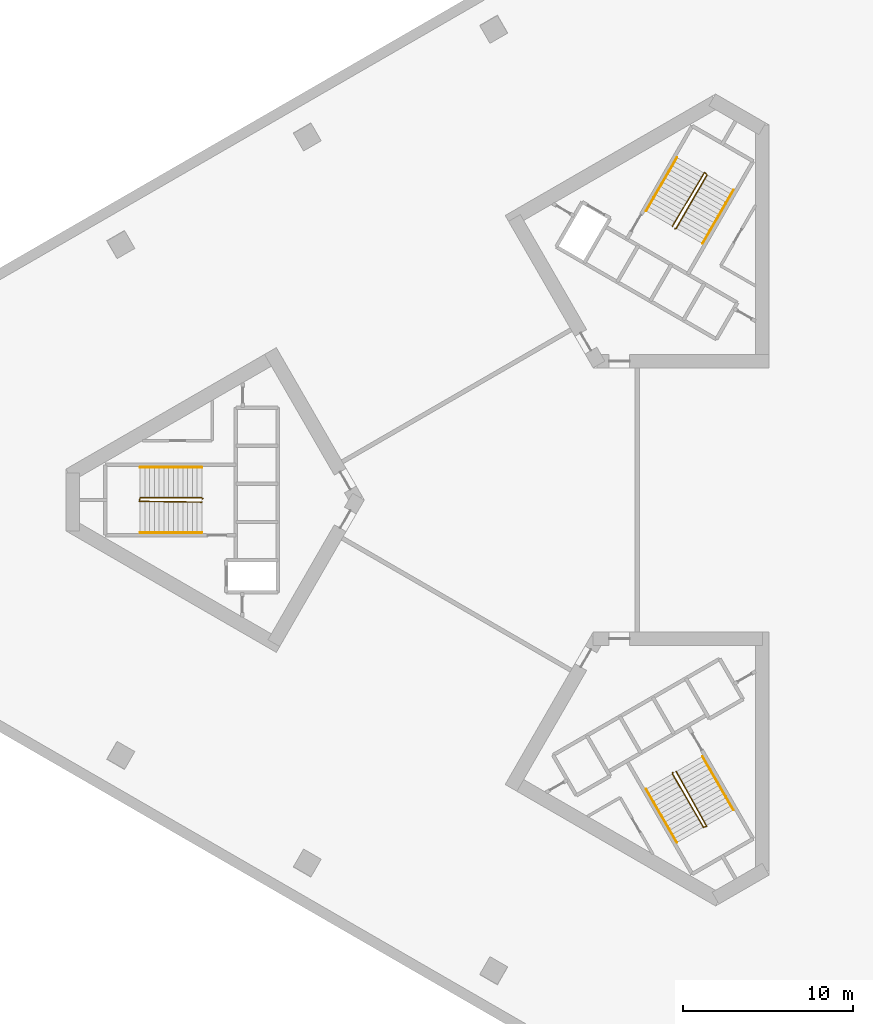
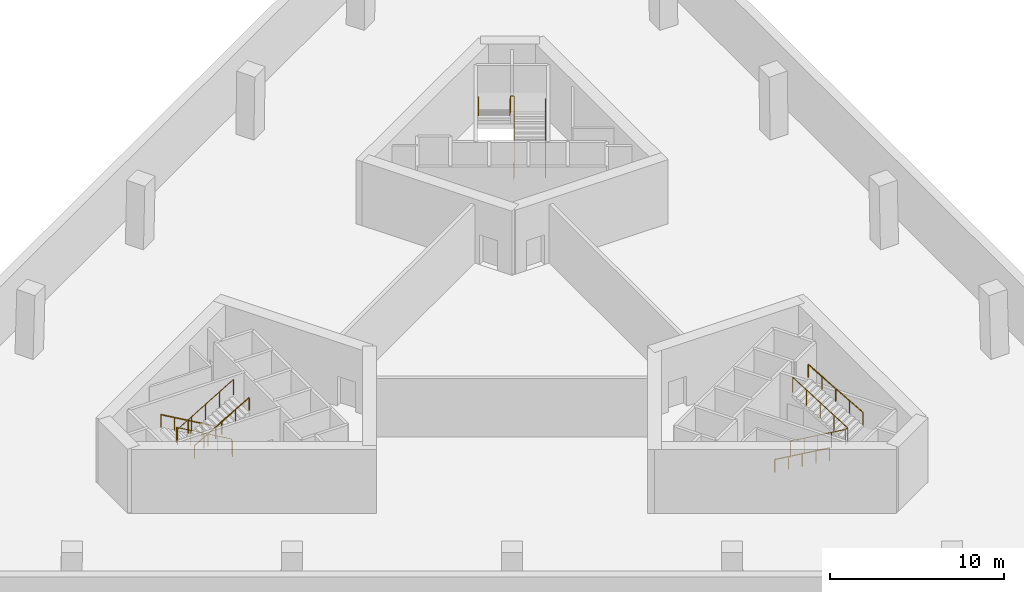
# One storey, part 6 of 6: 9 railings.
"""IFC4 building model written with IfcOpenShell, lengths in metres."""

from ifc_helpers import new_model, si_unit, direction, frame, origin, origin_2d, place, context, subcontext, project, spatial, circle, extrude, material, type_object, element, save


model = new_model("IFC4")

# Units and contexts
model_context = context("Model", 3, precision=1e-05, world=origin(), true_north=direction((0.0, 1.0)))
body_context = subcontext(model_context, "Body", "Model", "MODEL_VIEW")
ifc_project = project(units=[si_unit("LENGTHUNIT", "METRE"), si_unit("AREAUNIT", "SQUARE_METRE"), si_unit("VOLUMEUNIT", "CUBIC_METRE"), si_unit("PLANEANGLEUNIT", "RADIAN"), si_unit("MASSUNIT", "GRAM", prefix="KILO")], contexts=[model_context])

# Site, building, storey
site_placement = place(None, origin())
site = spatial("IfcSite", under=ifc_project, at=site_placement, CompositionType="ELEMENT")
building_placement = place(site_placement, origin())
building = spatial("IfcBuilding", under=site, at=building_placement, Name="Jabali Bay Hotel Tower and Convention Centre", CompositionType="ELEMENT")
storey_placement = place(building_placement, frame((0.0, 0.0, -4.5)))
storey = spatial("IfcBuildingStorey", under=building, at=storey_placement, Name="B1", CompositionType="ELEMENT", Elevation=-4.5)

# Railings
ifc_material = material(Name="Steel Q355B", Category="steel")
railing_type_1 = type_object("IfcRailingType", Name="Stair guard 1100", PredefinedType="GUARDRAIL", material=ifc_material)
railing_1_placement = place(storey_placement, frame((56.469970703125, 80.074951171875, 0.0)))
element("IfcRailing", 1, at=railing_1_placement, inside=storey, type_object=railing_type_1, Name="B1 ST1 stair guard 1", PredefinedType="GUARDRAIL", context=body_context, shape_type="SweptSolid", body=[
    extrude(circle(Radius=0.02392578125, at=origin_2d()), frame((0.0, 0.0, 1.076171875), z_axis=(-0.285103605394, 0.285103605394, 0.91511303585), x_axis=(-0.707106781187, -0.707106781187, 0.0)), (0.0, 0.0, 1.0), 0.175537109375),
    extrude(circle(Radius=0.02392578125, at=origin_2d()), frame((-0.050048828125, 0.050048828125, 1.23681640625), z_axis=(-0.8672749571, 0.0, 0.497829437445), x_axis=(0.0, -1.0, 0.0)), (0.0, 0.0, 1.0), 4.197021484375),
    extrude(circle(Radius=0.02392578125, at=origin_2d()), frame((-3.68994140625, 0.050048828125, 3.326171875), z_axis=(-0.242814311512, -0.970072785993, 0.0), x_axis=(0.970072785993, -0.242814311512, 0.0)), (0.0, 0.0, 1.0), 0.2060546875),
    extrude(circle(Radius=0.02392578125, at=origin_2d()), frame((-3.739990234375, -0.14990234375, 3.326171875), z_axis=(0.853735256921, -0.011579709387, 0.520578544911), x_axis=(0.013562335953, 0.999908027292, 0.0)), (0.0, 0.0, 1.0), 4.322021484375),
    extrude(circle(Radius=0.02099609375, at=origin_2d()), origin(), (0.0, 0.0, 1.0), 1.052001953125),
    extrude(circle(Radius=0.02099609375, at=origin_2d()), frame((-0.050048828125, 0.050048828125, 0.16064453125)), (0.0, 0.0, 1.0), 1.052001953125),
    extrude(circle(Radius=0.02099609375, at=origin_2d()), frame((-0.9599609375, 0.050048828125, 0.68310546875)), (0.0, 0.0, 1.0), 1.052001953125),
    extrude(circle(Radius=0.02099609375, at=origin_2d()), frame((-1.8701171875, 0.050048828125, 1.205322265625)), (0.0, 0.0, 1.0), 1.052001953125),
    extrude(circle(Radius=0.02099609375, at=origin_2d()), frame((-2.780029296875, 0.050048828125, 1.7275390625)), (0.0, 0.0, 1.0), 1.052001953125),
    extrude(circle(Radius=0.02099609375, at=origin_2d()), frame((-3.68994140625, 0.050048828125, 2.25)), (0.0, 0.0, 1.0), 1.052001953125),
    extrude(circle(Radius=0.02099609375, at=origin_2d()), frame((-3.739990234375, -0.14990234375, 2.25)), (0.0, 0.0, 1.0), 1.052001953125),
    extrude(circle(Radius=0.02099609375, at=origin_2d()), frame((-2.8173828125, -0.162353515625, 2.8125)), (0.0, 0.0, 1.0), 1.052001953125),
    extrude(circle(Radius=0.02099609375, at=origin_2d()), frame((-1.89501953125, -0.1748046875, 3.375)), (0.0, 0.0, 1.0), 1.052001953125),
    extrude(circle(Radius=0.02099609375, at=origin_2d()), frame((-0.97265625, -0.1875, 3.9375)), (0.0, 0.0, 1.0), 1.052001953125),
    extrude(circle(Radius=0.02099609375, at=origin_2d()), frame((-0.050048828125, -0.199951171875, 4.5)), (0.0, 0.0, 1.0), 1.052001953125),
])
railing_2_placement = place(storey_placement, frame((84.329833984375, 96.010009765625, 0.0)))
element("IfcRailing", 2, at=railing_2_placement, inside=storey, type_object=railing_type_1, Name="B1 ST2 stair guard 1", PredefinedType="GUARDRAIL", context=body_context, shape_type="SweptSolid", body=[
    extrude(circle(Radius=0.02392578125, at=origin_2d()), frame((0.0, 0.0, 1.076171875), z_axis=(0.389419217707, 0.104308719029, 0.91513516161), x_axis=(-0.258736085224, 0.965948051503, 0.0)), (0.0, 0.0, 1.0), 0.175537109375),
    extrude(circle(Radius=0.02392578125, at=origin_2d()), frame((0.068359375, 0.018310546875, 1.23681640625), z_axis=(0.433652999409, 0.751083504812, 0.49781386572), x_axis=(-0.866018046521, 0.500012742938, 0.0)), (0.0, 0.0, 1.0), 4.197021484375),
    extrude(circle(Radius=0.02392578125, at=origin_2d()), frame((1.888427734375, 3.170654296875, 3.326171875), z_axis=(-0.718850276695, 0.695164929852, 0.0), x_axis=(-0.695164929852, -0.718850276695, 0.0)), (0.0, 0.0, 1.0), 0.2060546875),
    extrude(circle(Radius=0.02392578125, at=origin_2d()), frame((1.740234375, 3.31396484375, 3.326171875), z_axis=(-0.436910096107, -0.733568379849, 0.520564117093), x_axis=(0.859157857954, -0.511710636118, 0.0)), (0.0, 0.0, 1.0), 4.322265625),
    extrude(circle(Radius=0.02099609375, at=origin_2d()), origin(), (0.0, 0.0, 1.0), 1.052001953125),
    extrude(circle(Radius=0.02099609375, at=origin_2d()), frame((0.068359375, 0.018310546875, 0.16064453125)), (0.0, 0.0, 1.0), 1.052001953125),
    extrude(circle(Radius=0.02099609375, at=origin_2d()), frame((0.5234375, 0.806396484375, 0.68310546875)), (0.0, 0.0, 1.0), 1.052001953125),
    extrude(circle(Radius=0.02099609375, at=origin_2d()), frame((0.978515625, 1.594482421875, 1.205322265625)), (0.0, 0.0, 1.0), 1.052001953125),
    extrude(circle(Radius=0.02099609375, at=origin_2d()), frame((1.433349609375, 2.382568359375, 1.7275390625)), (0.0, 0.0, 1.0), 1.052001953125),
    extrude(circle(Radius=0.02099609375, at=origin_2d()), frame((1.888427734375, 3.170654296875, 2.25)), (0.0, 0.0, 1.0), 1.052001953125),
    extrude(circle(Radius=0.02099609375, at=origin_2d()), frame((1.740234375, 3.31396484375, 2.25)), (0.0, 0.0, 1.0), 1.052001953125),
    extrude(circle(Radius=0.02099609375, at=origin_2d()), frame((1.26806640625, 2.521240234375, 2.8125)), (0.0, 0.0, 1.0), 1.052001953125),
    extrude(circle(Radius=0.02099609375, at=origin_2d()), frame((0.7958984375, 1.728515625, 3.375)), (0.0, 0.0, 1.0), 1.052001953125),
    extrude(circle(Radius=0.02099609375, at=origin_2d()), frame((0.323974609375, 0.93603515625, 3.9375)), (0.0, 0.0, 1.0), 1.052001953125),
    extrude(circle(Radius=0.02099609375, at=origin_2d()), frame((-0.148193359375, 0.143310546875, 4.5)), (0.0, 0.0, 1.0), 1.052001953125),
])
railing_3_placement = place(storey_placement, frame((84.199951171875, 63.9150390625, 0.0)))
element("IfcRailing", 3, at=railing_3_placement, inside=storey, type_object=railing_type_1, Name="B1 ST3 stair guard 1", PredefinedType="GUARDRAIL", context=body_context, shape_type="SweptSolid", body=[
    extrude(circle(Radius=0.02392578125, at=origin_2d()), frame((0.0, 0.0, 1.076171875), z_axis=(-0.104308719029, -0.389419217707, 0.91513516161), x_axis=(0.965948051503, -0.258736085224, 0.0)), (0.0, 0.0, 1.0), 0.175537109375),
    extrude(circle(Radius=0.02392578125, at=origin_2d()), frame((-0.018310546875, -0.068359375, 1.23681640625), z_axis=(0.433652999409, -0.751083504812, 0.49781386572), x_axis=(0.866018046521, 0.500012742938, 0.0)), (0.0, 0.0, 1.0), 4.197021484375),
    extrude(circle(Radius=0.02392578125, at=origin_2d()), frame((1.8017578125, -3.220703125, 3.326171875), z_axis=(0.96121063429, 0.275815366736, 0.0), x_axis=(-0.275815366736, 0.96121063429, 0.0)), (0.0, 0.0, 1.0), 0.206298828125),
    extrude(circle(Radius=0.02392578125, at=origin_2d()), frame((2.0, -3.163818359375, 3.326171875), z_axis=(-0.416874951572, 0.745121610595, 0.520585305378), x_axis=(-0.872702246529, -0.488252792008, 0.0)), (0.0, 0.0, 1.0), 4.322021484375),
    extrude(circle(Radius=0.02099609375, at=origin_2d()), origin(), (0.0, 0.0, 1.0), 1.052001953125),
    extrude(circle(Radius=0.02099609375, at=origin_2d()), frame((-0.018310546875, -0.068359375, 0.16064453125)), (0.0, 0.0, 1.0), 1.052001953125),
    extrude(circle(Radius=0.02099609375, at=origin_2d()), frame((0.436767578125, -0.8564453125, 0.68310546875)), (0.0, 0.0, 1.0), 1.052001953125),
    extrude(circle(Radius=0.02099609375, at=origin_2d()), frame((0.8916015625, -1.64453125, 1.205322265625)), (0.0, 0.0, 1.0), 1.052001953125),
    extrude(circle(Radius=0.02099609375, at=origin_2d()), frame((1.3466796875, -2.4326171875, 1.7275390625)), (0.0, 0.0, 1.0), 1.052001953125),
    extrude(circle(Radius=0.02099609375, at=origin_2d()), frame((1.8017578125, -3.220703125, 2.25)), (0.0, 0.0, 1.0), 1.052001953125),
    extrude(circle(Radius=0.02099609375, at=origin_2d()), frame((2.0, -3.163818359375, 2.25)), (0.0, 0.0, 1.0), 1.052001953125),
    extrude(circle(Radius=0.02099609375, at=origin_2d()), frame((1.549560546875, -2.358642578125, 2.8125)), (0.0, 0.0, 1.0), 1.052001953125),
    extrude(circle(Radius=0.02099609375, at=origin_2d()), frame((1.09912109375, -1.5537109375, 3.375)), (0.0, 0.0, 1.0), 1.052001953125),
    extrude(circle(Radius=0.02099609375, at=origin_2d()), frame((0.648681640625, -0.74853515625, 3.9375)), (0.0, 0.0, 1.0), 1.052001953125),
    extrude(circle(Radius=0.02099609375, at=origin_2d()), frame((0.1982421875, 0.056640625, 4.5)), (0.0, 0.0, 1.0), 1.052001953125),
])
railing_type_2 = type_object("IfcRailingType", Name="Stair handrail 900", PredefinedType="HANDRAIL", material=ifc_material)
railing_4_placement = place(storey_placement, frame((56.419921875, 81.925048828125, 0.16064453125)))
element("IfcRailing", 4, at=railing_4_placement, inside=storey, type_object=railing_type_2, Name="B1 ST1 stair handrail 1", PredefinedType="HANDRAIL", context=body_context, shape_type="SweptSolid", body=[
    extrude(circle(Radius=0.02392578125, at=origin_2d()), frame((0.0, 0.0, 0.8759765625), z_axis=(-0.8672749571, 0.0, 0.497829437445), x_axis=(0.0, -1.0, 0.0)), (0.0, 0.0, 1.0), 4.197021484375),
    extrude(circle(Radius=0.02099609375, at=origin_2d()), origin(), (0.0, 0.0, 1.0), 0.851806640625),
    extrude(circle(Radius=0.02099609375, at=origin_2d()), frame((-0.909912109375, 0.0, 0.5224609375)), (0.0, 0.0, 1.0), 0.851806640625),
    extrude(circle(Radius=0.02099609375, at=origin_2d()), frame((-1.81982421875, 0.0, 1.044677734375)), (0.0, 0.0, 1.0), 0.851806640625),
    extrude(circle(Radius=0.02099609375, at=origin_2d()), frame((-2.72998046875, 0.0, 1.56689453125)), (0.0, 0.0, 1.0), 0.851806640625),
    extrude(circle(Radius=0.02099609375, at=origin_2d()), frame((-3.639892578125, 0.0, 2.08935546875)), (0.0, 0.0, 1.0), 0.851806640625),
])
railing_5_placement = place(storey_placement, frame((52.780029296875, 78.074951171875, 2.41064453125)))
element("IfcRailing", 5, at=railing_5_placement, inside=storey, type_object=railing_type_2, Name="B1 ST1 stair handrail 2", PredefinedType="HANDRAIL", context=body_context, shape_type="SweptSolid", body=[
    extrude(circle(Radius=0.02392578125, at=origin_2d()), frame((0.0, 0.0, 0.8759765625), z_axis=(0.8672749571, 0.0, 0.497829437445), x_axis=(0.0, 1.0, 0.0)), (0.0, 0.0, 1.0), 4.197021484375),
    extrude(circle(Radius=0.02099609375, at=origin_2d()), origin(), (0.0, 0.0, 1.0), 0.851806640625),
    extrude(circle(Radius=0.02099609375, at=origin_2d()), frame((0.909912109375, 0.0, 0.5224609375)), (0.0, 0.0, 1.0), 0.851806640625),
    extrude(circle(Radius=0.02099609375, at=origin_2d()), frame((1.81982421875, 0.0, 1.044677734375)), (0.0, 0.0, 1.0), 0.851806640625),
    extrude(circle(Radius=0.02099609375, at=origin_2d()), frame((2.72998046875, 0.0, 1.56689453125)), (0.0, 0.0, 1.0), 0.851806640625),
    extrude(circle(Radius=0.02099609375, at=origin_2d()), frame((3.639892578125, 0.0, 2.08935546875)), (0.0, 0.0, 1.0), 0.851806640625),
])
railing_6_placement = place(storey_placement, frame((85.95703125, 95.128173828125, 0.16064453125)))
element("IfcRailing", 6, at=railing_6_placement, inside=storey, type_object=railing_type_2, Name="B1 ST2 stair handrail 1", PredefinedType="HANDRAIL", context=body_context, shape_type="SweptSolid", body=[
    extrude(circle(Radius=0.02392578125, at=origin_2d()), frame((0.0, 0.0, 0.8759765625), z_axis=(0.433652999409, 0.751083504812, 0.49781386572), x_axis=(-0.866018046521, 0.500012742938, 0.0)), (0.0, 0.0, 1.0), 4.197021484375),
    extrude(circle(Radius=0.02099609375, at=origin_2d()), origin(), (0.0, 0.0, 1.0), 0.851806640625),
    extrude(circle(Radius=0.02099609375, at=origin_2d()), frame((0.455078125, 0.7880859375, 0.5224609375)), (0.0, 0.0, 1.0), 0.851806640625),
    extrude(circle(Radius=0.02099609375, at=origin_2d()), frame((0.91015625, 1.576171875, 1.044677734375)), (0.0, 0.0, 1.0), 0.851806640625),
    extrude(circle(Radius=0.02099609375, at=origin_2d()), frame((1.364990234375, 2.3642578125, 1.56689453125)), (0.0, 0.0, 1.0), 0.851806640625),
    extrude(circle(Radius=0.02099609375, at=origin_2d()), frame((1.820068359375, 3.15234375, 2.08935546875)), (0.0, 0.0, 1.0), 0.851806640625),
])
railing_7_placement = place(storey_placement, frame((84.44287109375, 100.20556640625, 2.41064453125)))
element("IfcRailing", 7, at=railing_7_placement, inside=storey, type_object=railing_type_2, Name="B1 ST2 stair handrail 2", PredefinedType="HANDRAIL", context=body_context, shape_type="SweptSolid", body=[
    extrude(circle(Radius=0.02392578125, at=origin_2d()), frame((0.0, 0.0, 0.8759765625), z_axis=(-0.433652999409, -0.751083504812, 0.49781386572), x_axis=(0.866018046521, -0.500012742938, 0.0)), (0.0, 0.0, 1.0), 4.197021484375),
    extrude(circle(Radius=0.02099609375, at=origin_2d()), origin(), (0.0, 0.0, 1.0), 0.851806640625),
    extrude(circle(Radius=0.02099609375, at=origin_2d()), frame((-0.455078125, -0.7880859375, 0.5224609375)), (0.0, 0.0, 1.0), 0.851806640625),
    extrude(circle(Radius=0.02099609375, at=origin_2d()), frame((-0.91015625, -1.576171875, 1.044677734375)), (0.0, 0.0, 1.0), 0.851806640625),
    extrude(circle(Radius=0.02099609375, at=origin_2d()), frame((-1.364990234375, -2.3642578125, 1.56689453125)), (0.0, 0.0, 1.0), 0.851806640625),
    extrude(circle(Radius=0.02099609375, at=origin_2d()), frame((-1.820068359375, -3.15234375, 2.08935546875)), (0.0, 0.0, 1.0), 0.851806640625),
])
railing_8_placement = place(storey_placement, frame((82.622802734375, 62.94677734375, 0.16064453125)))
element("IfcRailing", 8, at=railing_8_placement, inside=storey, type_object=railing_type_2, Name="B1 ST3 stair handrail 1", PredefinedType="HANDRAIL", context=body_context, shape_type="SweptSolid", body=[
    extrude(circle(Radius=0.02392578125, at=origin_2d()), frame((0.0, 0.0, 0.8759765625), z_axis=(0.433652999409, -0.751083504812, 0.49781386572), x_axis=(0.866018046521, 0.500012742938, 0.0)), (0.0, 0.0, 1.0), 4.197021484375),
    extrude(circle(Radius=0.02099609375, at=origin_2d()), origin(), (0.0, 0.0, 1.0), 0.851806640625),
    extrude(circle(Radius=0.02099609375, at=origin_2d()), frame((0.455078125, -0.7880859375, 0.5224609375)), (0.0, 0.0, 1.0), 0.851806640625),
    extrude(circle(Radius=0.02099609375, at=origin_2d()), frame((0.91015625, -1.576171875, 1.044677734375)), (0.0, 0.0, 1.0), 0.851806640625),
    extrude(circle(Radius=0.02099609375, at=origin_2d()), frame((1.364990234375, -2.3642578125, 1.56689453125)), (0.0, 0.0, 1.0), 0.851806640625),
    extrude(circle(Radius=0.02099609375, at=origin_2d()), frame((1.820068359375, -3.15234375, 2.08935546875)), (0.0, 0.0, 1.0), 0.851806640625),
])
railing_9_placement = place(storey_placement, frame((87.777099609375, 61.719482421875, 2.41064453125)))
element("IfcRailing", 9, at=railing_9_placement, inside=storey, type_object=railing_type_2, Name="B1 ST3 stair handrail 2", PredefinedType="HANDRAIL", context=body_context, shape_type="SweptSolid", body=[
    extrude(circle(Radius=0.02392578125, at=origin_2d()), frame((0.0, 0.0, 0.8759765625), z_axis=(-0.433652999409, 0.751083504812, 0.49781386572), x_axis=(-0.866018046521, -0.500012742938, 0.0)), (0.0, 0.0, 1.0), 4.197021484375),
    extrude(circle(Radius=0.02099609375, at=origin_2d()), origin(), (0.0, 0.0, 1.0), 0.851806640625),
    extrude(circle(Radius=0.02099609375, at=origin_2d()), frame((-0.455078125, 0.7880859375, 0.5224609375)), (0.0, 0.0, 1.0), 0.851806640625),
    extrude(circle(Radius=0.02099609375, at=origin_2d()), frame((-0.91015625, 1.576171875, 1.044677734375)), (0.0, 0.0, 1.0), 0.851806640625),
    extrude(circle(Radius=0.02099609375, at=origin_2d()), frame((-1.364990234375, 2.3642578125, 1.56689453125)), (0.0, 0.0, 1.0), 0.851806640625),
    extrude(circle(Radius=0.02099609375, at=origin_2d()), frame((-1.820068359375, 3.15234375, 2.08935546875)), (0.0, 0.0, 1.0), 0.851806640625),
])

save(model, "model.ifc")
